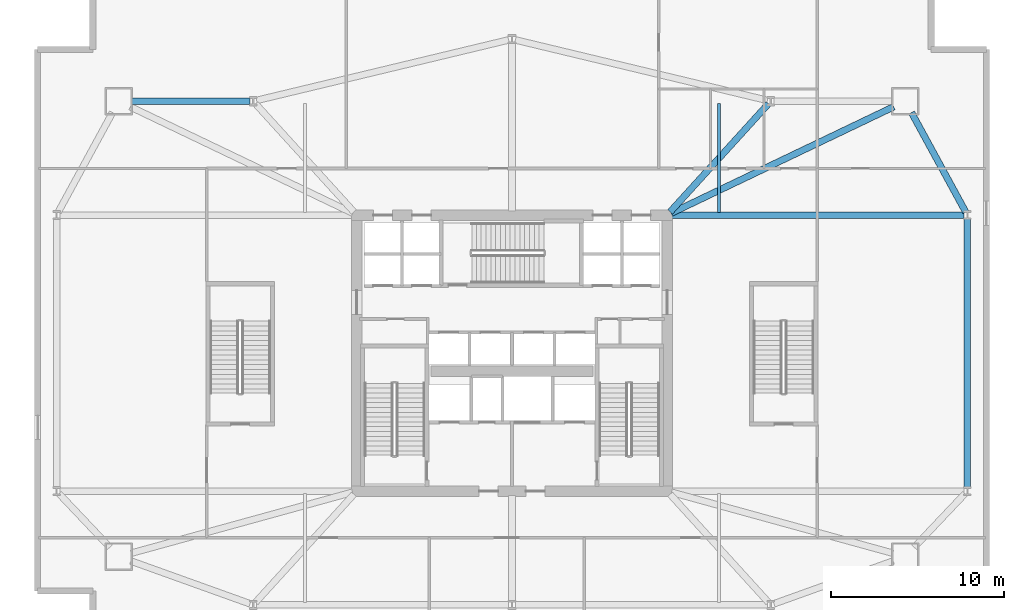
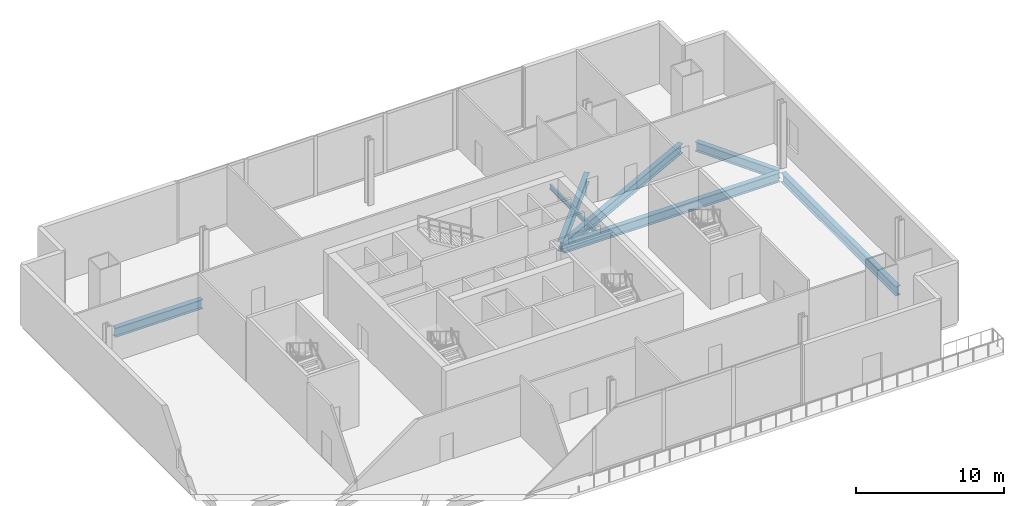
# One storey, part 6 of 16: 7 beams.
"""IFC4 building model written with IfcOpenShell, lengths in metres."""

from ifc_helpers import new_model, si_unit, direction, frame, origin, origin_2d, place, context, subcontext, project, spatial, i_section, extrude, material, material_profile, profile_set, type_object, element, save


model = new_model("IFC4")

# Units and contexts
model_context = context("Model", 3, precision=1e-05, world=origin(), true_north=direction((0.0, 1.0)))
body_context = subcontext(model_context, "Body", "Model", "MODEL_VIEW")
ifc_project = project(units=[si_unit("LENGTHUNIT", "METRE"), si_unit("AREAUNIT", "SQUARE_METRE"), si_unit("VOLUMEUNIT", "CUBIC_METRE"), si_unit("PLANEANGLEUNIT", "RADIAN"), si_unit("MASSUNIT", "GRAM", prefix="KILO")], contexts=[model_context])

# Site, building, storey
site_placement = place(None, origin())
site = spatial("IfcSite", under=ifc_project, at=site_placement, CompositionType="ELEMENT")
building_placement = place(site_placement, origin())
building = spatial("IfcBuilding", under=site, at=building_placement, Name="Haldenkirk Collegiate Tower", CompositionType="ELEMENT")
storey_placement = place(building_placement, frame((0.0, 0.0, 16.800048828125)))
storey = spatial("IfcBuildingStorey", under=building, at=storey_placement, Name="L03", CompositionType="ELEMENT", Elevation=16.800048828125)

# Beams
ifc_material = material(Name="Steel ASTM A992 Grade 50", Category="steel")
ifc_material_profile_1 = material_profile(ifc_material, i_section(OverallWidth=0.381103515625, OverallDepth=0.77294921875, WebThickness=0.0166015625, FlangeThickness=0.027099609375, at=origin_2d()), Name="W30X173")
ifc_profile_set_1 = profile_set([ifc_material_profile_1], Name="Steel ASTM A992 Grade 50")
beam_type_1 = type_object("IfcBeamType", Name="BM-GIRDER-W30X173", PredefinedType="BEAM", material=ifc_profile_set_1)
beam_1_placement = place(storey_placement, frame((62.39990234375, 18.199951171875, -0.716552734375), z_axis=(0.0, 1.0, 0.0), x_axis=(-1.0, 0.0, 0.0)))
element("IfcBeam", 1, at=beam_1_placement, inside=storey, type_object=beam_type_1, Name="L03 podium ring girder 06", PredefinedType="BEAM", context=body_context, shape_type="SweptSolid", body=[
    extrude(i_section(OverallWidth=0.381103515625, OverallDepth=0.77294921875, WebThickness=0.0166015625, FlangeThickness=0.027099609375, at=origin_2d()), origin(), (0.0, 0.0, 1.0), 15.60009765625),
])
beam_2_placement = place(storey_placement, frame((62.30419921875, 34.175537109375, -0.716552734375), z_axis=(-0.47883650459, 0.877904096056, 0.0), x_axis=(-0.877904096056, -0.47883650459, 0.0)))
element("IfcBeam", 2, at=beam_2_placement, inside=storey, type_object=beam_type_1, Name="L03 podium ring girder 07", PredefinedType="BEAM", context=body_context, shape_type="SweptSolid", body=[
    extrude(i_section(OverallWidth=0.381103515625, OverallDepth=0.77294921875, WebThickness=0.0166015625, FlangeThickness=0.027099609375, at=origin_2d()), origin(), (0.0, 0.0, 1.0), 6.568115234375),
])
beam_3_placement = place(storey_placement, frame((20.800048828125, 40.60009765625, -0.716552734375), z_axis=(-1.0, 0.0, 0.0), x_axis=(0.0, -1.0, 0.0)))
element("IfcBeam", 3, at=beam_3_placement, inside=storey, type_object=beam_type_1, Name="L03 podium ring girder 11", PredefinedType="BEAM", context=body_context, shape_type="SweptSolid", body=[
    extrude(i_section(OverallWidth=0.381103515625, OverallDepth=0.77294921875, WebThickness=0.0166015625, FlangeThickness=0.027099609375, at=origin_2d()), origin(), (0.0, 0.0, 1.0), 6.85009765625),
])
beam_4_placement = place(storey_placement, frame((62.199951171875, 34.0, -0.716552734375), z_axis=(-1.0, 0.0, 0.0), x_axis=(0.0, -1.0, 0.0)))
element("IfcBeam", 4, at=beam_4_placement, inside=storey, type_object=beam_type_1, Name="L03 podium radial girder 04", PredefinedType="BEAM", context=body_context, shape_type="SweptSolid", body=[
    extrude(i_section(OverallWidth=0.381103515625, OverallDepth=0.77294921875, WebThickness=0.0166015625, FlangeThickness=0.027099609375, at=origin_2d()), origin(), (0.0, 0.0, 1.0), 16.949951171875),
])
beam_5_placement = place(storey_placement, frame((50.865478515625, 40.451904296875, -0.716552734375), z_axis=(-0.672681402593, -0.739932247307, 0.0), x_axis=(0.739932247307, -0.672681402593, 0.0)))
element("IfcBeam", 5, at=beam_5_placement, inside=storey, type_object=beam_type_1, Name="L03 podium radial girder 10", PredefinedType="BEAM", context=body_context, shape_type="SweptSolid", body=[
    extrude(i_section(OverallWidth=0.381103515625, OverallDepth=0.77294921875, WebThickness=0.0166015625, FlangeThickness=0.027099609375, at=origin_2d()), origin(), (0.0, 0.0, 1.0), 8.469482421875),
])
beam_6_placement = place(storey_placement, frame((58.123291015625, 40.2763671875, -0.716552734375), z_axis=(-0.902134510622, -0.431454893058, 0.0), x_axis=(0.431454893058, -0.902134510622, 0.0)))
element("IfcBeam", 6, at=beam_6_placement, inside=storey, type_object=beam_type_1, Name="L03 podium radial girder 13", PredefinedType="BEAM", context=body_context, shape_type="SweptSolid", body=[
    extrude(i_section(OverallWidth=0.381103515625, OverallDepth=0.77294921875, WebThickness=0.0166015625, FlangeThickness=0.027099609375, at=origin_2d()), origin(), (0.0, 0.0, 1.0), 14.296875),
])
ifc_material_profile_2 = material_profile(ifc_material, i_section(OverallWidth=0.1708984375, OverallDepth=0.35595703125, WebThickness=0.007080078125, FlangeThickness=0.01171875, at=origin_2d()), Name="W14X34")
ifc_profile_set_2 = profile_set([ifc_material_profile_2], Name="Steel ASTM A992 Grade 50")
beam_type_2 = type_object("IfcBeamType", Name="BM-JOIST-W14X34", PredefinedType="JOIST", material=ifc_profile_set_2)
beam_7_placement = place(storey_placement, frame((48.0, 34.139892578125, -0.508056640625), z_axis=(0.0, 1.0, 0.0), x_axis=(-1.0, 0.0, 0.0)))
element("IfcBeam", 7, at=beam_7_placement, inside=storey, type_object=beam_type_2, Name="L03 north bay floor joist 2", PredefinedType="JOIST", context=body_context, shape_type="SweptSolid", body=[
    extrude(i_section(OverallWidth=0.1708984375, OverallDepth=0.35595703125, WebThickness=0.007080078125, FlangeThickness=0.01171875, at=origin_2d()), origin(), (0.0, 0.0, 1.0), 6.320068359375),
])

save(model, "model.ifc")
